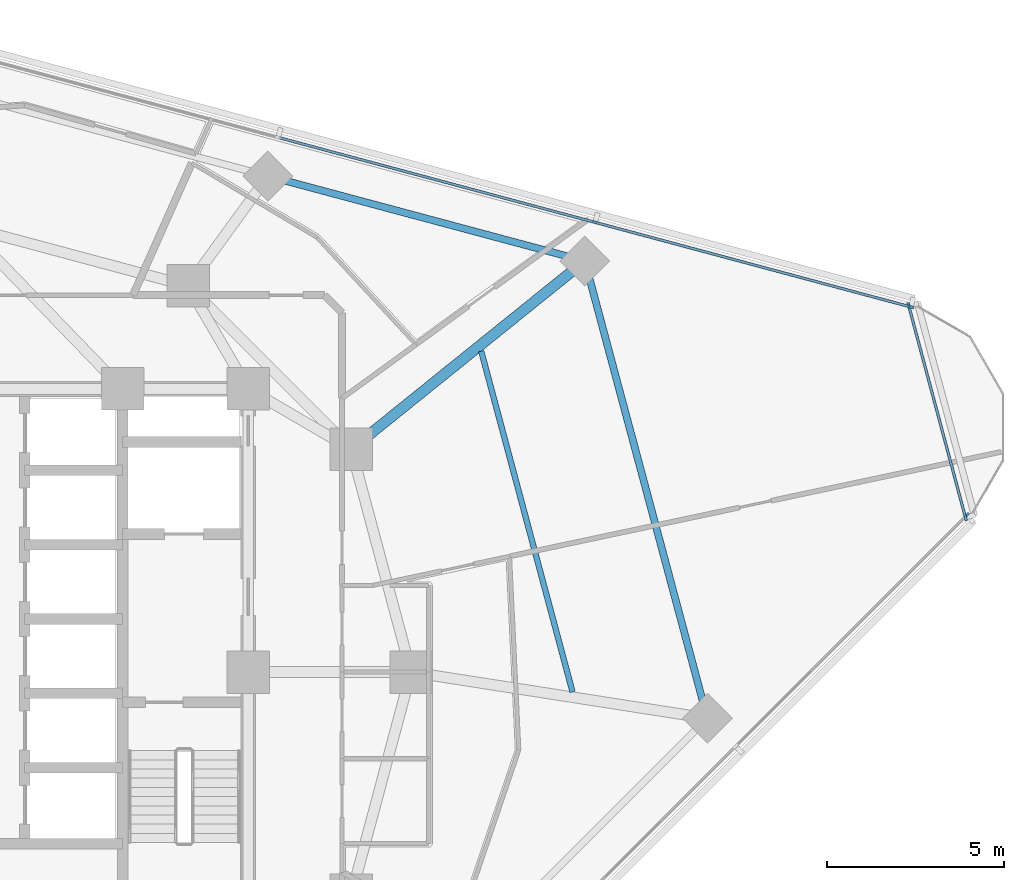
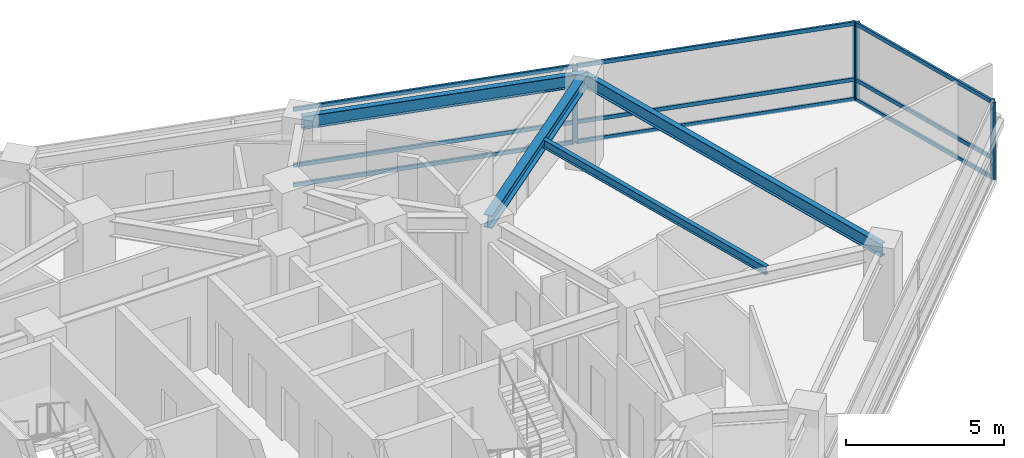
# One storey, part 5 of 14: 14 members, 4 beams, 3 elements without a shape of their own.
"""IFC4 building model written with IfcOpenShell, lengths in metres."""

from ifc_helpers import new_model, si_unit, direction, frame, origin, origin_2d, place, context, subcontext, project, spatial, rectangle, i_section, extrude, material, layer, layer_set, material_profile, profile_set, type_object, element, aggregate, save


model = new_model("IFC4")

# Units and contexts
model_context = context("Model", 3, precision=1e-05, world=origin(), true_north=direction((0.0, 1.0)))
body_context = subcontext(model_context, "Body", "Model", "MODEL_VIEW")
ifc_project = project(units=[si_unit("LENGTHUNIT", "METRE"), si_unit("AREAUNIT", "SQUARE_METRE"), si_unit("VOLUMEUNIT", "CUBIC_METRE"), si_unit("PLANEANGLEUNIT", "RADIAN"), si_unit("MASSUNIT", "GRAM", prefix="KILO")], contexts=[model_context])

# Site, building, storey
site_placement = place(None, origin())
site = spatial("IfcSite", under=ifc_project, at=site_placement, CompositionType="ELEMENT")
building_placement = place(site_placement, origin())
building = spatial("IfcBuilding", under=site, at=building_placement, Name="Terralouvre Media Tower", CompositionType="ELEMENT")
storey_placement = place(building_placement, frame((0.0, 0.0, 187.89990234375)))
storey = spatial("IfcBuildingStorey", under=building, at=storey_placement, Name="L48", CompositionType="ELEMENT", Elevation=187.89990234375)

# Beam
ifc_material_1 = material(Name="Structural steel S355J2", Category="steel")
ifc_material_profile_1 = material_profile(ifc_material_1, i_section(OverallWidth=0.159912109375, OverallDepth=0.330078125, WebThickness=0.007568359375, FlangeThickness=0.011474609375, at=origin_2d()), Name="IPE 330")
ifc_profile_set_1 = profile_set([ifc_material_profile_1], Name="Structural steel S355J2")
beam_type_1 = type_object("IfcBeamType", Name="Composite Floor Joist J-IPE330 (IPE 330)", PredefinedType="JOIST", material=ifc_profile_set_1)
beam_1_placement = place(storey_placement, frame((17.16357421875, -0.56103515625, 3.335205078125), z_axis=(-0.258827084055, 0.965923672222, 0.0), x_axis=(-0.965923672222, -0.258827084055, 0.0)))
element("IfcBeam", 1, at=beam_1_placement, inside=storey, type_object=beam_type_1, Name="L48 Framing Beam JT-L48-03", PredefinedType="JOIST", context=body_context, shape_type="SweptSolid", body=[
    extrude(i_section(OverallWidth=0.159912109375, OverallDepth=0.330078125, WebThickness=0.007568359375, FlangeThickness=0.011474609375, at=origin_2d()), origin(), (0.0, 0.0, 1.0), 9.96826171875),
])

# Curtain wall, members
ifc_material_2 = material(Name="Low-iron laminated double glazing with solar-control coating", Category="glass")
ifc_layer_1 = layer(ifc_material_2, 0.1650390625, Name="Production Studio Tower Curtain Wall CW-03")
ifc_layer_set_1 = layer_set([ifc_layer_1], Name="Low-iron laminated double glazing with solar-control coating")
curtain_wall_type_1 = type_object("IfcCurtainWallType", Name="Production Studio Tower Curtain Wall CW-03", PredefinedType="NOTDEFINED", material=ifc_layer_set_1)
curtain_wall_1_placement = place(storey_placement, origin())
curtain_wall_1 = element("IfcCurtainWall", 2, at=curtain_wall_1_placement, inside=storey, type_object=curtain_wall_type_1, Name="L48 Facade Curtain Wall F1", PredefinedType="NOTDEFINED")
ifc_material_3 = material(Name="Anodised extruded aluminium 6063-T6", Category="aluminium")
ifc_material_profile_2 = material_profile(ifc_material_3, rectangle(XDim=0.074951171875, YDim=0.14990234375, at=origin_2d()), Name="ALU 75x150")
ifc_profile_set_2 = profile_set([ifc_material_profile_2], Name="Anodised extruded aluminium 6063-T6")
member_type_1 = type_object("IfcMemberType", Name="Curtain-Wall Horizontal Transom TR-150", PredefinedType="USERDEFINED", material=ifc_profile_set_2)
member_1_placement = place(storey_placement, frame((26.687255859375, 10.32763671875, 0.03759765625), z_axis=(-0.965927230856, 0.25881380313, 0.0), x_axis=(-0.25881380313, -0.965927230856, 0.0)))
member_1 = element("IfcMember", 3, at=member_1_placement, type_object=member_type_1, Name="CW-03 transom 1.1", ObjectType="TRANSOM", PredefinedType="USERDEFINED", context=body_context, shape_type="SweptSolid", body=[
    extrude(rectangle(XDim=0.074951171875, YDim=0.14990234375, at=origin_2d()), origin(), (0.0, 0.0, 1.0), 9.159423828125),
])
member_2_placement = place(storey_placement, frame((26.687255859375, 10.32763671875, 0.800048828125), z_axis=(-0.965927230856, 0.25881380313, 0.0), x_axis=(-0.25881380313, -0.965927230856, 0.0)))
member_2 = element("IfcMember", 4, at=member_2_placement, type_object=member_type_1, Name="CW-03 transom 1.2", ObjectType="TRANSOM", PredefinedType="USERDEFINED", context=body_context, shape_type="SweptSolid", body=[
    extrude(rectangle(XDim=0.074951171875, YDim=0.14990234375, at=origin_2d()), origin(), (0.0, 0.0, 1.0), 9.159423828125),
])
member_3_placement = place(storey_placement, frame((26.687255859375, 10.32763671875, 2.962646484375), z_axis=(-0.965927230856, 0.25881380313, 0.0), x_axis=(-0.25881380313, -0.965927230856, 0.0)))
member_3 = element("IfcMember", 5, at=member_3_placement, type_object=member_type_1, Name="CW-03 transom 1.3", ObjectType="TRANSOM", PredefinedType="USERDEFINED", context=body_context, shape_type="SweptSolid", body=[
    extrude(rectangle(XDim=0.074951171875, YDim=0.14990234375, at=origin_2d()), origin(), (0.0, 0.0, 1.0), 9.159423828125),
])
member_4_placement = place(storey_placement, frame((17.767578125, 12.7177734375, 0.03759765625), z_axis=(-0.965926723605, 0.25881569625, 0.0), x_axis=(-0.25881569625, -0.965926723605, 0.0)))
member_4 = element("IfcMember", 6, at=member_4_placement, type_object=member_type_1, Name="CW-03 transom 2.1", ObjectType="TRANSOM", PredefinedType="USERDEFINED", context=body_context, shape_type="SweptSolid", body=[
    extrude(rectangle(XDim=0.074951171875, YDim=0.14990234375, at=origin_2d()), origin(), (0.0, 0.0, 1.0), 9.197265625),
])
member_5_placement = place(storey_placement, frame((17.767578125, 12.7177734375, 0.800048828125), z_axis=(-0.965926723605, 0.25881569625, 0.0), x_axis=(-0.25881569625, -0.965926723605, 0.0)))
member_5 = element("IfcMember", 7, at=member_5_placement, type_object=member_type_1, Name="CW-03 transom 2.2", ObjectType="TRANSOM", PredefinedType="USERDEFINED", context=body_context, shape_type="SweptSolid", body=[
    extrude(rectangle(XDim=0.074951171875, YDim=0.14990234375, at=origin_2d()), origin(), (0.0, 0.0, 1.0), 9.197265625),
])
member_6_placement = place(storey_placement, frame((17.767578125, 12.7177734375, 2.962646484375), z_axis=(-0.965926723605, 0.25881569625, 0.0), x_axis=(-0.25881569625, -0.965926723605, 0.0)))
member_6 = element("IfcMember", 8, at=member_6_placement, type_object=member_type_1, Name="CW-03 transom 2.3", ObjectType="TRANSOM", PredefinedType="USERDEFINED", context=body_context, shape_type="SweptSolid", body=[
    extrude(rectangle(XDim=0.074951171875, YDim=0.14990234375, at=origin_2d()), origin(), (0.0, 0.0, 1.0), 9.197265625),
])

ifc_material_4 = material(Name="Low-iron laminated double glazing with solar-control coating", Category="glass")
ifc_layer_2 = layer(ifc_material_4, 0.1650390625, Name="Rounded Wind-Corner Curved Glazing CW-04")
ifc_layer_set_2 = layer_set([ifc_layer_2], Name="Low-iron laminated double glazing with solar-control coating")
curtain_wall_type_2 = type_object("IfcCurtainWallType", Name="Rounded Wind-Corner Curved Glazing CW-04", PredefinedType="NOTDEFINED", material=ifc_layer_set_2)
curtain_wall_2_placement = place(storey_placement, origin())
curtain_wall_2 = element("IfcCurtainWall", 9, at=curtain_wall_2_placement, inside=storey, type_object=curtain_wall_type_2, Name="L48 Rounded Wind-Corner Curtain Wall C1", PredefinedType="NOTDEFINED")
member_7_placement = place(storey_placement, frame((28.259033203125, 4.404052734375, 0.03759765625), z_axis=(-0.25882448687, 0.965924368155, 0.0), x_axis=(-0.965924368155, -0.25882448687, 0.0)))
member_7 = element("IfcMember", 10, at=member_7_placement, type_object=member_type_1, Name="CW-04 transom 1.1", ObjectType="TRANSOM", PredefinedType="USERDEFINED", context=body_context, shape_type="SweptSolid", body=[
    extrude(rectangle(XDim=0.074951171875, YDim=0.14990234375, at=origin_2d()), origin(), (0.0, 0.0, 1.0), 6.119873046875),
])
member_8_placement = place(storey_placement, frame((28.259033203125, 4.404052734375, 0.800048828125), z_axis=(-0.25882448687, 0.965924368155, 0.0), x_axis=(-0.965924368155, -0.25882448687, 0.0)))
member_8 = element("IfcMember", 11, at=member_8_placement, type_object=member_type_1, Name="CW-04 transom 1.2", ObjectType="TRANSOM", PredefinedType="USERDEFINED", context=body_context, shape_type="SweptSolid", body=[
    extrude(rectangle(XDim=0.074951171875, YDim=0.14990234375, at=origin_2d()), origin(), (0.0, 0.0, 1.0), 6.119873046875),
])
member_9_placement = place(storey_placement, frame((28.259033203125, 4.404052734375, 2.962646484375), z_axis=(-0.25882448687, 0.965924368155, 0.0), x_axis=(-0.965924368155, -0.25882448687, 0.0)))
member_9 = element("IfcMember", 12, at=member_9_placement, type_object=member_type_1, Name="CW-04 transom 1.3", ObjectType="TRANSOM", PredefinedType="USERDEFINED", context=body_context, shape_type="SweptSolid", body=[
    extrude(rectangle(XDim=0.074951171875, YDim=0.14990234375, at=origin_2d()), origin(), (0.0, 0.0, 1.0), 6.119873046875),
])

# Curtain wall, member
curtain_wall_3_placement = place(storey_placement, origin())
curtain_wall_3 = element("IfcCurtainWall", 13, at=curtain_wall_3_placement, inside=storey, type_object=curtain_wall_type_1, Name="L48 Facade Curtain Wall F0", PredefinedType="NOTDEFINED")
ifc_material_5 = material(Name="Anodised extruded aluminium 6063-T6", Category="aluminium")
ifc_material_profile_3 = material_profile(ifc_material_5, rectangle(XDim=0.074951171875, YDim=0.179931640625, at=origin_2d()), Name="ALU 75x180")
ifc_profile_set_3 = profile_set([ifc_material_profile_3], Name="Anodised extruded aluminium 6063-T6")
member_type_2 = type_object("IfcMemberType", Name="Curtain-Wall Vertical Mullion ML-180", PredefinedType="MULLION", material=ifc_profile_set_3)
member_10_placement = place(storey_placement, frame((28.30224609375, 4.42626953125, 0.0), z_axis=(0.0, 0.0, 1.0), x_axis=(-0.707106781187, 0.707106781187, 0.0)))
member_10 = element("IfcMember", 14, at=member_10_placement, type_object=member_type_2, Name="CW-03 mullion 6", PredefinedType="MULLION", context=body_context, shape_type="SweptSolid", body=[
    extrude(rectangle(XDim=0.074951171875, YDim=0.179931640625, at=origin_2d()), origin(), (0.0, 0.0, 1.0), 3.0),
])
aggregate(curtain_wall_3, [member_10])

# Member
member_11_placement = place(storey_placement, frame((26.7236328125, 10.31787109375, 0.0), z_axis=(0.0, 0.0, 1.0), x_axis=(-0.25881903342, -0.96592582942, 0.0)))
member_11 = element("IfcMember", 15, at=member_11_placement, type_object=member_type_2, Name="CW-03 mullion 1", PredefinedType="MULLION", context=body_context, shape_type="SweptSolid", body=[
    extrude(rectangle(XDim=0.074951171875, YDim=0.179931640625, at=origin_2d()), origin(), (0.0, 0.0, 1.0), 3.0),
])

member_12_placement = place(storey_placement, frame((17.8037109375, 12.7080078125, 0.0), z_axis=(0.0, 0.0, 1.0), x_axis=(-0.25881903342, -0.96592582942, 0.0)))
member_12 = element("IfcMember", 16, at=member_12_placement, type_object=member_type_2, Name="CW-03 mullion 2", PredefinedType="MULLION", context=body_context, shape_type="SweptSolid", body=[
    extrude(rectangle(XDim=0.074951171875, YDim=0.179931640625, at=origin_2d()), origin(), (0.0, 0.0, 1.0), 3.0),
])

aggregate(curtain_wall_1, [member_11, member_12, member_1, member_2, member_3, member_4, member_5, member_6])

member_13_placement = place(storey_placement, frame((28.268798828125, 4.367919921875, 0.0), z_axis=(0.0, 0.0, 1.0), x_axis=(-0.965925911218, -0.258818728144, 0.0)))
member_13 = element("IfcMember", 17, at=member_13_placement, type_object=member_type_2, Name="CW-04 mullion 1", PredefinedType="MULLION", context=body_context, shape_type="SweptSolid", body=[
    extrude(rectangle(XDim=0.074951171875, YDim=0.179931640625, at=origin_2d()), origin(), (0.0, 0.0, 1.0), 3.0),
])

member_14_placement = place(storey_placement, frame((26.665283203125, 10.351806640625, 0.0), z_axis=(0.0, 0.0, 1.0), x_axis=(-0.965925911218, -0.258818728144, 0.0)))
member_14 = element("IfcMember", 18, at=member_14_placement, type_object=member_type_2, Name="CW-04 mullion 2", PredefinedType="MULLION", context=body_context, shape_type="SweptSolid", body=[
    extrude(rectangle(XDim=0.074951171875, YDim=0.179931640625, at=origin_2d()), origin(), (0.0, 0.0, 1.0), 3.0),
])

aggregate(curtain_wall_2, [member_13, member_14, member_7, member_8, member_9])

# Beams
ifc_material_6 = material(Name="Structural steel S355J2", Category="steel")
ifc_material_profile_4 = material_profile(ifc_material_6, i_section(OverallWidth=0.199951171875, OverallDepth=0.5, WebThickness=0.01025390625, FlangeThickness=0.01611328125, at=origin_2d()), Name="IPE 500")
ifc_profile_set_4 = profile_set([ifc_material_profile_4], Name="Structural steel S355J2")
beam_type_2 = type_object("IfcBeamType", Name="Perimeter Spandrel Beam SPB-500 (IPE 500)", PredefinedType="SPANDREL", material=ifc_profile_set_4)
beam_2_placement = place(storey_placement, frame((20.973388671875, -1.3046875, 3.25), z_axis=(-0.258815451972, 0.965926789058, 0.0), x_axis=(-0.965926789058, -0.258815451972, 0.0)))
element("IfcBeam", 19, at=beam_2_placement, inside=storey, type_object=beam_type_2, Name="L48 Framing Beam BM-L48-PR06", PredefinedType="SPANDREL", context=body_context, shape_type="SweptSolid", body=[
    extrude(i_section(OverallWidth=0.199951171875, OverallDepth=0.5, WebThickness=0.01025390625, FlangeThickness=0.01611328125, at=origin_2d()), origin(), (0.0, 0.0, 1.0), 13.376953125),
])
beam_3_placement = place(storey_placement, frame((17.51123046875, 11.616455078125, 3.25), z_axis=(-0.965922193685, 0.258832601786, 0.0), x_axis=(-0.258832601786, -0.965922193685, 0.0)))
element("IfcBeam", 20, at=beam_3_placement, inside=storey, type_object=beam_type_2, Name="L48 Framing Beam BM-L48-PR07", PredefinedType="SPANDREL", context=body_context, shape_type="SweptSolid", body=[
    extrude(i_section(OverallWidth=0.199951171875, OverallDepth=0.5, WebThickness=0.01025390625, FlangeThickness=0.01611328125, at=origin_2d()), origin(), (0.0, 0.0, 1.0), 9.27197265625),
])
ifc_material_7 = material(Name="Structural steel S355J2", Category="steel")
ifc_material_profile_5 = material_profile(ifc_material_7, i_section(OverallWidth=0.300048828125, OverallDepth=0.5, WebThickness=0.014404296875, FlangeThickness=0.028076171875, at=origin_2d()), Name="HEB 500")
ifc_profile_set_5 = profile_set([ifc_material_profile_5], Name="Structural steel S355J2")
beam_type_3 = type_object("IfcBeamType", Name="Primary Floor Girder B-HEB500 (HEB 500)", PredefinedType="BEAM", material=ifc_profile_set_5)
beam_4_placement = place(storey_placement, frame((10.911865234375, 6.300048828125, 3.25), z_axis=(0.778739443649, 0.62734749454, 0.0), x_axis=(-0.62734749454, 0.778739443649, 0.0)))
element("IfcBeam", 21, at=beam_4_placement, inside=storey, type_object=beam_type_3, Name="L48 Framing Beam BM-L48-RD07", PredefinedType="BEAM", context=body_context, shape_type="SweptSolid", body=[
    extrude(i_section(OverallWidth=0.300048828125, OverallDepth=0.5, WebThickness=0.014404296875, FlangeThickness=0.028076171875, at=origin_2d()), origin(), (0.0, 0.0, 1.0), 8.474365234375),
])

save(model, "model.ifc")
